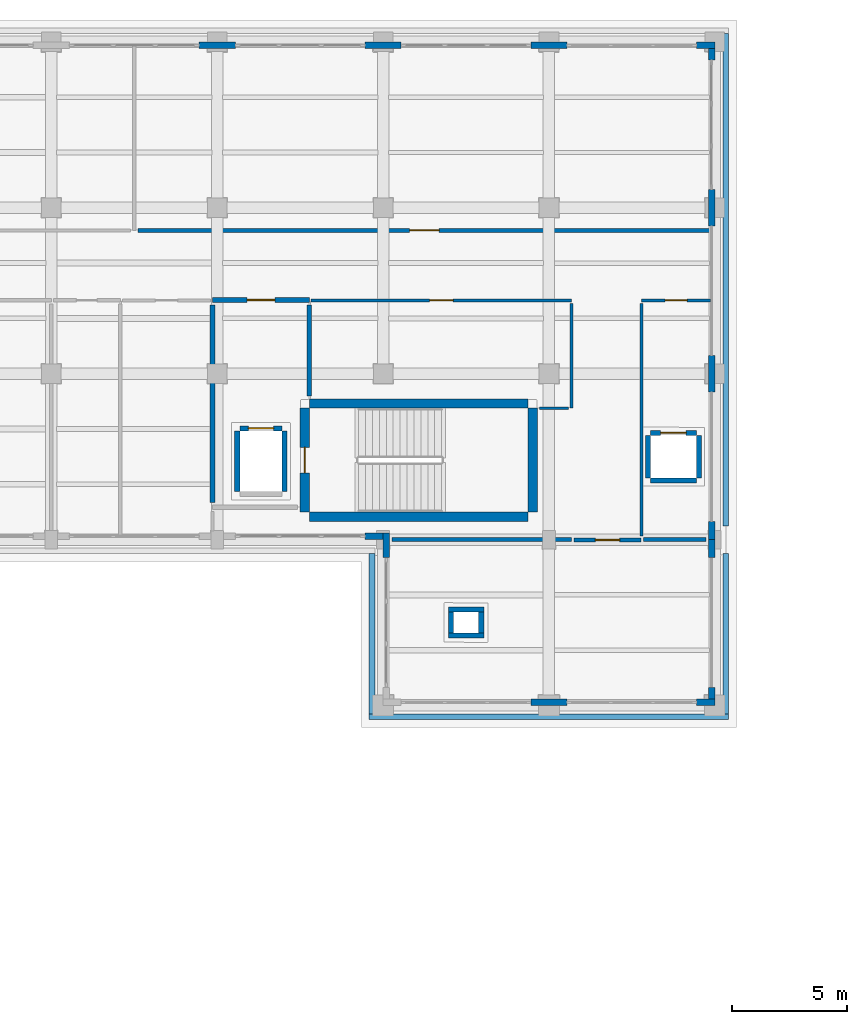
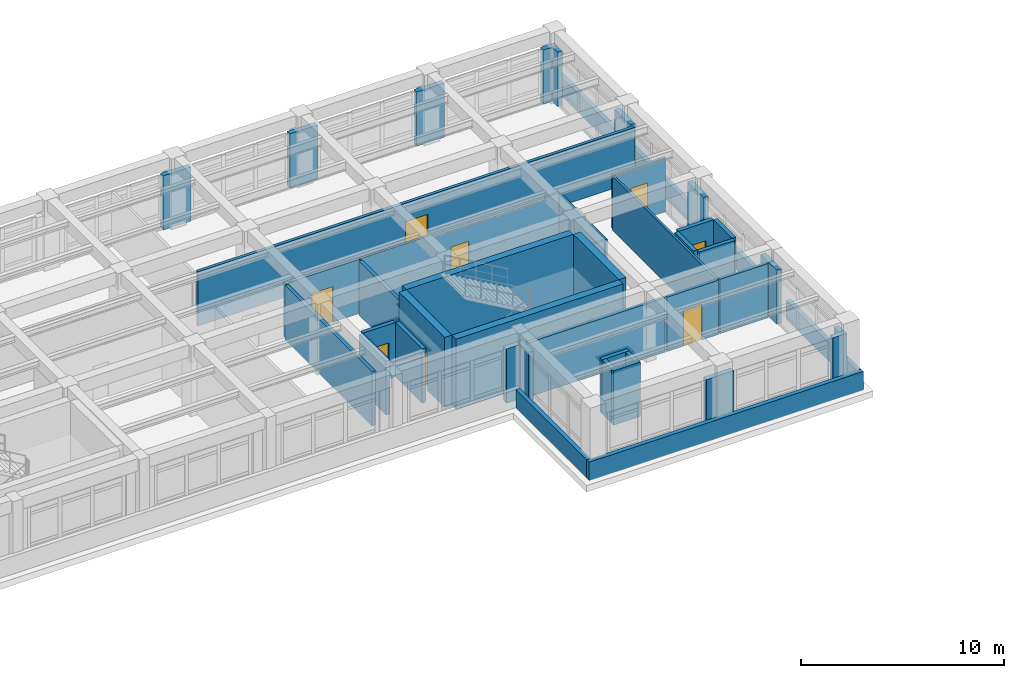
# One storey, part 55 of 69: 45 walls, 8 doors, 8 openings.
"""IFC4 building model written with IfcOpenShell, lengths in metres."""

from ifc_helpers import new_model, si_unit, direction, frame, frame_2d, origin, place, context, subcontext, project, spatial, rectangle, extrude, material, layer, layer_set, type_object, element, fill, save


model = new_model("IFC4")

# Units and contexts
model_context = context("Model", 3, precision=1e-05, world=origin(), true_north=direction((0.0, 1.0)))
body_context = subcontext(model_context, "Body", "Model", "MODEL_VIEW")
ifc_project = project(units=[si_unit("LENGTHUNIT", "METRE"), si_unit("AREAUNIT", "SQUARE_METRE"), si_unit("VOLUMEUNIT", "CUBIC_METRE"), si_unit("PLANEANGLEUNIT", "RADIAN"), si_unit("MASSUNIT", "GRAM", prefix="KILO")], contexts=[model_context])

# Site, building, storey
site_placement = place(None, origin())
site = spatial("IfcSite", under=ifc_project, at=site_placement, CompositionType="ELEMENT")
building_placement = place(site_placement, origin())
building = spatial("IfcBuilding", under=site, at=building_placement, Name="Solenvale Faculty of Natural Sciences", CompositionType="ELEMENT")
storey_placement = place(building_placement, frame((0.0, 0.0, 4.5)))
storey = spatial("IfcBuildingStorey", under=building, at=storey_placement, Name="L01", CompositionType="ELEMENT", Elevation=4.5)

# Walls
ifc_material_1 = material(Name="Precast concrete 40 MPa", Category="concrete")
ifc_layer_1 = layer(ifc_material_1, 0.284912109375)
ifc_layer_set_1 = layer_set([ifc_layer_1], Name="Precast concrete 40 MPa")
wall_type_1 = type_object("IfcWallType", Name="WL-EXT-PRC-285", PredefinedType="STANDARD", material=ifc_layer_set_1)
wall_1_placement = place(storey_placement, frame((143.2119140625, 86.54248046875, 0.0), z_axis=(0.0, 0.0, 1.0), x_axis=(1.0, 0.0, 0.0)))
element("IfcWall", 1, at=wall_1_placement, inside=storey, type_object=wall_type_1, Name="L01 Facade Closure Pier 1.B1-R", PredefinedType="STANDARD", context=body_context, shape_type="SweptSolid", body=[
    extrude(rectangle(XDim=1.576171875, YDim=0.284912109375, at=frame_2d((0.7880859375, 0.0))), origin(), (0.0, 0.0, 1.0), 3.260009765625),
])
wall_2_placement = place(storey_placement, frame((150.412109375, 86.54248046875, 0.0), z_axis=(0.0, 0.0, 1.0), x_axis=(1.0, 0.0, 0.0)))
element("IfcWall", 2, at=wall_2_placement, inside=storey, type_object=wall_type_1, Name="L01 Facade Closure Pier 1.B2-R", PredefinedType="STANDARD", context=body_context, shape_type="SweptSolid", body=[
    extrude(rectangle(XDim=0.787841796875, YDim=0.284912109375, at=frame_2d((0.39404296875, 0.0))), origin(), (0.0, 0.0, 1.0), 3.260009765625),
])
wall_3_placement = place(storey_placement, frame((151.0576171875, 86.68505859375, 0.0), z_axis=(0.0, 0.0, 1.0), x_axis=(0.0, 1.0, 0.0)))
element("IfcWall", 3, at=wall_3_placement, inside=storey, type_object=wall_type_1, Name="L01 Facade Closure Pier 2.B1-L", PredefinedType="STANDARD", context=body_context, shape_type="SweptSolid", body=[
    extrude(rectangle(XDim=0.5029296875, YDim=0.284912109375, at=frame_2d((0.25146484375, 0.0))), origin(), (0.0, 0.0, 1.0), 3.260009765625),
])
wall_4_placement = place(storey_placement, frame((151.0576171875, 92.81201171875, 0.0), z_axis=(0.0, 0.0, 1.0), x_axis=(0.0, 1.0, 0.0)))
element("IfcWall", 4, at=wall_4_placement, inside=storey, type_object=wall_type_1, Name="L01 Facade Closure Pier 2.B1-R", PredefinedType="STANDARD", context=body_context, shape_type="SweptSolid", body=[
    extrude(rectangle(XDim=0.7880859375, YDim=0.284912109375, at=frame_2d((0.39404296875, 0.0))), origin(), (0.0, 0.0, 1.0), 3.260009765625),
])
wall_5_placement = place(storey_placement, frame((151.0576171875, 93.60009765625, 0.0), z_axis=(0.0, 0.0, 1.0), x_axis=(0.0, 1.0, 0.0)))
element("IfcWall", 5, at=wall_5_placement, inside=storey, type_object=wall_type_1, Name="L01 Facade Closure Pier 3.B1-L", PredefinedType="STANDARD", context=body_context, shape_type="SweptSolid", body=[
    extrude(rectangle(XDim=0.787841796875, YDim=0.284912109375, at=frame_2d((0.39404296875, 0.0))), origin(), (0.0, 0.0, 1.0), 3.260009765625),
])
wall_6_placement = place(storey_placement, frame((151.0576171875, 100.011962890625, 0.0), z_axis=(0.0, 0.0, 1.0), x_axis=(0.0, 1.0, 0.0)))
element("IfcWall", 6, at=wall_6_placement, inside=storey, type_object=wall_type_1, Name="L01 Facade Closure Pier 3.B1-R", PredefinedType="STANDARD", context=body_context, shape_type="SweptSolid", body=[
    extrude(rectangle(XDim=1.575927734375, YDim=0.284912109375, at=frame_2d((0.7880859375, 0.0))), origin(), (0.0, 0.0, 1.0), 3.260009765625),
])
wall_7_placement = place(storey_placement, frame((151.0576171875, 107.2119140625, 0.0), z_axis=(0.0, 0.0, 1.0), x_axis=(0.0, 1.0, 0.0)))
element("IfcWall", 7, at=wall_7_placement, inside=storey, type_object=wall_type_1, Name="L01 Facade Closure Pier 3.B2-R", PredefinedType="STANDARD", context=body_context, shape_type="SweptSolid", body=[
    extrude(rectangle(XDim=1.576171875, YDim=0.284912109375, at=frame_2d((0.7880859375, 0.0))), origin(), (0.0, 0.0, 1.0), 3.260009765625),
])
wall_8_placement = place(storey_placement, frame((151.0576171875, 114.412109375, 0.0), z_axis=(0.0, 0.0, 1.0), x_axis=(0.0, 1.0, 0.0)))
element("IfcWall", 8, at=wall_8_placement, inside=storey, type_object=wall_type_1, Name="L01 Facade Closure Pier 3.B3-R", PredefinedType="STANDARD", context=body_context, shape_type="SweptSolid", body=[
    extrude(rectangle(XDim=0.5029296875, YDim=0.284912109375, at=frame_2d((0.25146484375, 0.0))), origin(), (0.0, 0.0, 1.0), 3.260009765625),
])
wall_9_placement = place(storey_placement, frame((151.199951171875, 115.0576171875, 0.0), z_axis=(0.0, 0.0, 1.0), x_axis=(-1.0, 0.0, 0.0)))
element("IfcWall", 9, at=wall_9_placement, inside=storey, type_object=wall_type_1, Name="L01 Facade Closure Pier 4.B1-L", PredefinedType="STANDARD", context=body_context, shape_type="SweptSolid", body=[
    extrude(rectangle(XDim=0.787841796875, YDim=0.284912109375, at=frame_2d((0.39404296875, 0.0))), origin(), (0.0, 0.0, 1.0), 3.260009765625),
])
wall_10_placement = place(storey_placement, frame((144.7880859375, 115.0576171875, 0.0), z_axis=(0.0, 0.0, 1.0), x_axis=(-1.0, 0.0, 0.0)))
element("IfcWall", 10, at=wall_10_placement, inside=storey, type_object=wall_type_1, Name="L01 Facade Closure Pier 4.B1-R", PredefinedType="STANDARD", context=body_context, shape_type="SweptSolid", body=[
    extrude(rectangle(XDim=1.576171875, YDim=0.284912109375, at=frame_2d((0.7880859375, 0.0))), origin(), (0.0, 0.0, 1.0), 3.260009765625),
])
for number, where, z_axis, x_axis, name in (
    (11, (137.587890625, 115.0576171875, 0.0), (0.0, 0.0, 1.0), (-1.0, 0.0, 0.0), "L01 Facade Closure Pier 4.B2-R"),
    (12, (130.387939453125, 115.0576171875, 0.0), (0.0, 0.0, 1.0), (-1.0, 0.0, 0.0), "L01 Facade Closure Pier 4.B3-R"),
):
    element("IfcWall", number, at=place(storey_placement, frame(where, z_axis=z_axis, x_axis=x_axis)), inside=storey, type_object=wall_type_1, Name=name, PredefinedType="STANDARD", context=body_context, shape_type="SweptSolid", body=[
        extrude(rectangle(XDim=1.575927734375, YDim=0.284912109375, at=frame_2d((0.7880859375, 0.0))), origin(), (0.0, 0.0, 1.0), 3.260009765625),
    ])
wall_11_placement = place(storey_placement, frame((136.011962890625, 93.742431640625, 0.0), z_axis=(0.0, 0.0, 1.0), x_axis=(1.0, 0.0, 0.0)))
element("IfcWall", 13, at=wall_11_placement, inside=storey, type_object=wall_type_1, Name="L01 Facade Closure Pier 6.B8-R", PredefinedType="STANDARD", context=body_context, shape_type="SweptSolid", body=[
    extrude(rectangle(XDim=0.7880859375, YDim=0.284912109375, at=frame_2d((0.39404296875, 0.0))), origin(), (0.0, 0.0, 1.0), 3.260009765625),
])
wall_12_placement = place(storey_placement, frame((136.9423828125, 93.885009765625, 0.0), z_axis=(0.0, 0.0, 1.0), x_axis=(0.0, -1.0, 0.0)))
element("IfcWall", 14, at=wall_12_placement, inside=storey, type_object=wall_type_1, Name="L01 Facade Closure Pier 7.B1-L", PredefinedType="STANDARD", context=body_context, shape_type="SweptSolid", body=[
    extrude(rectangle(XDim=1.072998046875, YDim=0.284912109375, at=frame_2d((0.53662109375, 0.0))), origin(), (0.0, 0.0, 1.0), 3.260009765625),
])

# Wall, opening, door
ifc_material_2 = material(Name="Gypsum fire-rated shaftwall")
ifc_layer_2 = layer(ifc_material_2, 0.205078125)
ifc_layer_set_2 = layer_set([ifc_layer_2], Name="Gypsum fire-rated shaftwall")
wall_type_2 = type_object("IfcWallType", Name="WL-FFL-205", PredefinedType="PARTITIONING", material=ifc_layer_set_2)
wall_13_placement = place(storey_placement, frame((129.39990234375, 104.0, 0.0), z_axis=(0.0, 0.0, 1.0), x_axis=(1.0, 0.0, 0.0)))
wall_13 = element("IfcWall", 15, at=wall_13_placement, inside=storey, type_object=wall_type_2, Name="L01 Firefighting Lobby C5 Partition 1", PredefinedType="PARTITIONING", context=body_context, shape_type="SweptSolid", body=[
    extrude(rectangle(XDim=4.2001953125, YDim=0.205078125, at=frame_2d((2.10009765625, 0.0))), origin(), (0.0, 0.0, 1.0), 3.260009765625),
])
opening_1_placement = place(wall_13_placement, frame((1.5, 0.0, 0.0)))
opening_1 = element("IfcOpeningElement", 16, at=opening_1_placement, cuts=wall_13, Name="Opening D-L01-02", PredefinedType="OPENING", context=body_context, shape_type="SweptSolid", body=[
    extrude(rectangle(XDim=1.199951171875, YDim=2.14990234375, at=frame_2d((0.60009765625, 1.074951171875))), frame((0.0, 0.112548828125, 0.0), z_axis=(0.0, -1.0, 0.0), x_axis=(1.0, 0.0, 0.0)), (0.0, 0.0, 1.0), 0.22509765625),
])
ifc_material_3 = material(Name="Galvanised steel S355", Category="steel")
door_type_1 = type_object("IfcDoorType", Name="DR-FFL-1200x2150", OperationType="NOTDEFINED", PredefinedType="DOOR", material=ifc_material_3)
door_1_placement = place(opening_1_placement, origin())
door_1 = element("IfcDoor", 17, at=door_1_placement, inside=storey, type_object=door_type_1, Name="L01 Firefighting Lobby C5 Door", OperationType="SINGLE_SWING_LEFT", OverallHeight=2.14990234375, OverallWidth=1.199951171875, PredefinedType="DOOR", context=body_context, shape_type="SweptSolid", body=[
    extrude(rectangle(XDim=1.199951171875, YDim=2.14990234375, at=frame_2d((0.60009765625, 1.074951171875))), frame((0.0, 0.02490234375, 0.0), z_axis=(0.0, -1.0, 0.0), x_axis=(1.0, 0.0, 0.0)), (0.0, 0.0, 1.0), 0.050048828125),
])
fill(opening_1, door_1)

# Walls
wall_14_placement = place(storey_placement, frame((133.60009765625, 103.782958984375, 0.0), z_axis=(0.0, 0.0, 1.0), x_axis=(0.0, -1.0, 0.0)))
element("IfcWall", 18, at=wall_14_placement, inside=storey, type_object=wall_type_2, Name="L01 Firefighting Lobby C5 Partition 2", PredefinedType="PARTITIONING", context=body_context, shape_type="SweptSolid", body=[
    extrude(rectangle(XDim=3.9580078125, YDim=0.205078125, at=frame_2d((1.97900390625, 0.0))), origin(), (0.0, 0.0, 1.0), 3.260009765625),
])
wall_15_placement = place(storey_placement, frame((129.39990234375, 95.217041015625, 0.0), z_axis=(0.0, 0.0, 1.0), x_axis=(0.0, 1.0, 0.0)))
element("IfcWall", 19, at=wall_15_placement, inside=storey, type_object=wall_type_2, Name="L01 Firefighting Lobby C5 Partition 21", PredefinedType="PARTITIONING", context=body_context, shape_type="SweptSolid", body=[
    extrude(rectangle(XDim=8.56591796875, YDim=0.205078125, at=frame_2d((4.282958984375, 0.0))), origin(), (0.0, 0.0, 1.0), 3.260009765625),
])

# Wall, opening, door
ifc_material_4 = material(Name="Gypsum fire-rated laboratory partition")
ifc_layer_3 = layer(ifc_material_4, 0.175048828125)
ifc_layer_set_3 = layer_set([ifc_layer_3], Name="Gypsum fire-rated laboratory partition")
wall_type_3 = type_object("IfcWallType", Name="WL-LAB-175", PredefinedType="PARTITIONING", material=ifc_layer_set_3)
wall_16_placement = place(storey_placement, frame((151.01806640625, 107.02001953125, 0.0), z_axis=(0.0, 0.0, 1.0), x_axis=(-1.0, 0.0, 0.0)))
wall_16 = element("IfcWall", 20, at=wall_16_placement, inside=storey, type_object=wall_type_3, Name="L01 Optics and Photonics Research Laboratory Partition 4", PredefinedType="PARTITIONING", context=body_context, shape_type="SweptSolid", body=[
    extrude(rectangle(XDim=24.84912109375, YDim=0.175048828125, at=frame_2d((12.424560546875, 0.0))), origin(), (0.0, 0.0, 1.0), 3.260009765625),
])
opening_2_placement = place(wall_16_placement, frame((11.784912109375, 0.0, 0.0)))
opening_2 = element("IfcOpeningElement", 21, at=opening_2_placement, cuts=wall_16, Name="Opening D-L01-21", PredefinedType="OPENING", context=body_context, shape_type="SweptSolid", body=[
    extrude(rectangle(XDim=1.280029296875, YDim=2.14990234375, at=frame_2d((0.64013671875, 1.074951171875))), frame((0.0, 0.097412109375, 0.0), z_axis=(0.0, -1.0, 0.0), x_axis=(1.0, 0.0, 0.0)), (0.0, 0.0, 1.0), 0.195068359375),
])
ifc_material_5 = material(Name="Oak acoustic timber leaf", Category="wood")
door_type_2 = type_object("IfcDoorType", Name="DR-LAB-1280x2150", OperationType="NOTDEFINED", PredefinedType="DOOR", material=ifc_material_5)
door_2_placement = place(opening_2_placement, origin())
door_2 = element("IfcDoor", 22, at=door_2_placement, inside=storey, type_object=door_type_2, Name="L01 Optics and Photonics Research Laboratory Door", OperationType="SINGLE_SWING_RIGHT", OverallHeight=2.14990234375, OverallWidth=1.280029296875, PredefinedType="DOOR", context=body_context, shape_type="SweptSolid", body=[
    extrude(rectangle(XDim=1.280029296875, YDim=2.14990234375, at=frame_2d((0.64013671875, 1.074951171875))), frame((0.0, 0.02490234375, 0.0), z_axis=(0.0, -1.0, 0.0), x_axis=(1.0, 0.0, 0.0)), (0.0, 0.0, 1.0), 0.050048828125),
])
fill(opening_2, door_2)

ifc_material_6 = material(Name="Acoustic stud gypsum partition")
ifc_layer_4 = layer(ifc_material_6, 0.125)
ifc_layer_set_4 = layer_set([ifc_layer_4], Name="Acoustic stud gypsum partition")
wall_type_4 = type_object("IfcWallType", Name="WL-OFF-125", PredefinedType="PARTITIONING", material=ifc_layer_set_4)
wall_17_placement = place(storey_placement, frame((133.674072265625, 103.97998046875, 0.0), z_axis=(0.0, 0.0, 1.0), x_axis=(1.0, 0.0, 0.0)))
wall_17 = element("IfcWall", 23, at=wall_17_placement, inside=storey, type_object=wall_type_4, Name="L01 Building Electrical and Telecom Closet Partition 18", PredefinedType="PARTITIONING", context=body_context, shape_type="SweptSolid", body=[
    extrude(rectangle(XDim=11.305908203125, YDim=0.125, at=frame_2d((5.65283203125, 0.0))), origin(), (0.0, 0.0, 1.0), 3.260009765625),
])
opening_3_placement = place(wall_17_placement, frame((5.14306640625, 0.0, 0.0)))
opening_3 = element("IfcOpeningElement", 24, at=opening_3_placement, cuts=wall_17, Name="Opening D-L01-25", PredefinedType="OPENING", context=body_context, shape_type="SweptSolid", body=[
    extrude(rectangle(XDim=1.02001953125, YDim=2.14990234375, at=frame_2d((0.510009765625, 1.074951171875))), frame((0.0, 0.072509765625, 0.0), z_axis=(0.0, -1.0, 0.0), x_axis=(1.0, 0.0, 0.0)), (0.0, 0.0, 1.0), 0.14501953125),
])
door_type_3 = type_object("IfcDoorType", Name="DR-OFF-1020x2150", OperationType="NOTDEFINED", PredefinedType="DOOR", material=ifc_material_5)
door_3_placement = place(opening_3_placement, origin())
door_3 = element("IfcDoor", 25, at=door_3_placement, inside=storey, type_object=door_type_3, Name="L01 Building Electrical and Telecom Closet Door", OperationType="SINGLE_SWING_RIGHT", OverallHeight=2.14990234375, OverallWidth=1.02001953125, PredefinedType="DOOR", context=body_context, shape_type="SweptSolid", body=[
    extrude(rectangle(XDim=1.02001953125, YDim=2.14990234375, at=frame_2d((0.510009765625, 1.074951171875))), frame((0.0, 0.02490234375, 0.0), z_axis=(0.0, -1.0, 0.0), x_axis=(1.0, 0.0, 0.0)), (0.0, 0.0, 1.0), 0.050048828125),
])
fill(opening_3, door_3)

# Walls
wall_18_placement = place(storey_placement, frame((144.97998046875, 103.843017578125, 0.0), z_axis=(0.0, 0.0, 1.0), x_axis=(0.0, -1.0, 0.0)))
element("IfcWall", 26, at=wall_18_placement, inside=storey, type_object=wall_type_4, Name="L01 Building Electrical and Telecom Closet Partition 19", PredefinedType="PARTITIONING", context=body_context, shape_type="SweptSolid", body=[
    extrude(rectangle(XDim=4.54296875, YDim=0.125, at=frame_2d((2.271484375, 0.0))), origin(), (0.0, 0.0, 1.0), 3.260009765625),
])
wall_19_placement = place(storey_placement, frame((144.843017578125, 99.300048828125, 0.0), z_axis=(0.0, 0.0, 1.0), x_axis=(-1.0, 0.0, 0.0)))
element("IfcWall", 27, at=wall_19_placement, inside=storey, type_object=wall_type_4, Name="L01 Building Electrical and Telecom Closet Partition 20", PredefinedType="PARTITIONING", context=body_context, shape_type="SweptSolid", body=[
    extrude(rectangle(XDim=1.258056640625, YDim=0.125, at=frame_2d((0.62890625, 0.0))), origin(), (0.0, 0.0, 1.0), 3.260009765625),
])

# Wall, opening, door
ifc_layer_5 = layer(ifc_material_6, 0.132080078125)
ifc_layer_set_5 = layer_set([ifc_layer_5], Name="Acoustic stud gypsum partition")
wall_type_5 = type_object("IfcWallType", Name="WL-OFF-132", PredefinedType="PARTITIONING", material=ifc_layer_set_5)
wall_20_placement = place(storey_placement, frame((148.02001953125, 103.97998046875, 0.0), z_axis=(0.0, 0.0, 1.0), x_axis=(1.0, 0.0, 0.0)))
wall_20 = element("IfcWall", 28, at=wall_20_placement, inside=storey, type_object=wall_type_5, Name="L01 Elevator Lobby Partition 1", PredefinedType="PARTITIONING", context=body_context, shape_type="SweptSolid", body=[
    extrude(rectangle(XDim=2.998046875, YDim=0.132080078125, at=frame_2d((1.4990234375, 0.0))), origin(), (0.0, 0.0, 1.0), 3.260009765625),
])
opening_4_placement = place(wall_20_placement, frame((1.02392578125, 0.0, 0.0)))
opening_4 = element("IfcOpeningElement", 29, at=opening_4_placement, cuts=wall_20, Name="Opening D-L01-26", PredefinedType="OPENING", context=body_context, shape_type="SweptSolid", body=[
    extrude(rectangle(XDim=0.949951171875, YDim=2.10009765625, at=frame_2d((0.47509765625, 1.050048828125))), frame((0.0, 0.075927734375, 0.0), z_axis=(0.0, -1.0, 0.0), x_axis=(1.0, 0.0, 0.0)), (0.0, 0.0, 1.0), 0.152099609375),
])
door_type_4 = type_object("IfcDoorType", Name="DR-OFF-0950x2100", OperationType="NOTDEFINED", PredefinedType="DOOR", material=ifc_material_5)
door_4_placement = place(opening_4_placement, origin())
door_4 = element("IfcDoor", 30, at=door_4_placement, inside=storey, type_object=door_type_4, Name="L01 Elevator Lobby Door", OperationType="SINGLE_SWING_LEFT", OverallHeight=2.10009765625, OverallWidth=0.949951171875, PredefinedType="DOOR", context=body_context, shape_type="SweptSolid", body=[
    extrude(rectangle(XDim=0.949951171875, YDim=2.10009765625, at=frame_2d((0.47509765625, 1.050048828125))), frame((0.0, 0.02490234375, 0.0), z_axis=(0.0, -1.0, 0.0), x_axis=(1.0, 0.0, 0.0)), (0.0, 0.0, 1.0), 0.050048828125),
])
fill(opening_4, door_4)

# Walls
wall_21_placement = place(storey_placement, frame((148.02001953125, 93.7451171875, 0.0), z_axis=(0.0, 0.0, 1.0), x_axis=(0.0, 1.0, 0.0)))
element("IfcWall", 31, at=wall_21_placement, inside=storey, type_object=wall_type_5, Name="L01 Elevator Lobby Partition 4", PredefinedType="PARTITIONING", context=body_context, shape_type="SweptSolid", body=[
    extrude(rectangle(XDim=10.0908203125, YDim=0.132080078125, at=frame_2d((5.04541015625, 0.0))), origin(), (0.0, 0.0, 1.0), 3.260009765625),
])
ifc_material_7 = material(Name="Architectural bronze concrete 40 MPa", Category="concrete")
ifc_layer_6 = layer(ifc_material_7, 0.239990234375)
ifc_layer_set_6 = layer_set([ifc_layer_6], Name="Architectural bronze concrete 40 MPa")
wall_type_6 = type_object("IfcWallType", Name="WL-PAR-BRZ-240", PredefinedType="PARAPET", material=ifc_layer_set_6)
wall_22_placement = place(storey_placement, frame((151.679931640625, 115.56005859375, 0.0), z_axis=(0.0, 0.0, 1.0), x_axis=(0.0, -1.0, 0.0)))
element("IfcWall", 32, at=wall_22_placement, inside=storey, type_object=wall_type_6, Name="L01 Tower Horizontal Concrete Band 10", PredefinedType="PARAPET", context=body_context, shape_type="SweptSolid", body=[
    extrude(rectangle(XDim=21.360107421875, YDim=0.239990234375, at=frame_2d((10.68017578125, 0.0))), origin(), (0.0, 0.0, 1.0), 1.1201171875),
])
wall_23_placement = place(storey_placement, frame((151.679931640625, 93.0, 0.0), z_axis=(0.0, 0.0, 1.0), x_axis=(0.0, -1.0, 0.0)))
element("IfcWall", 33, at=wall_23_placement, inside=storey, type_object=wall_type_6, Name="L01 Tower Horizontal Concrete Band 11", PredefinedType="PARAPET", context=body_context, shape_type="SweptSolid", body=[
    extrude(rectangle(XDim=6.9599609375, YDim=0.239990234375, at=frame_2d((3.47998046875, 0.0))), origin(), (0.0, 0.0, 1.0), 1.1201171875),
])
wall_24_placement = place(storey_placement, frame((151.800048828125, 85.919921875, 0.0), z_axis=(0.0, 0.0, 1.0), x_axis=(-1.0, 0.0, 0.0)))
element("IfcWall", 34, at=wall_24_placement, inside=storey, type_object=wall_type_6, Name="L01 Tower Horizontal Concrete Band 12", PredefinedType="PARAPET", context=body_context, shape_type="SweptSolid", body=[
    extrude(rectangle(XDim=15.60009765625, YDim=0.239990234375, at=frame_2d((7.800048828125, 0.0))), origin(), (0.0, 0.0, 1.0), 1.1201171875),
])
wall_25_placement = place(storey_placement, frame((136.320068359375, 86.0400390625, 0.0), z_axis=(0.0, 0.0, 1.0), x_axis=(0.0, 1.0, 0.0)))
element("IfcWall", 35, at=wall_25_placement, inside=storey, type_object=wall_type_6, Name="L01 Tower Horizontal Concrete Band 13", PredefinedType="PARAPET", context=body_context, shape_type="SweptSolid", body=[
    extrude(rectangle(XDim=6.9599609375, YDim=0.239990234375, at=frame_2d((3.47998046875, 0.0))), origin(), (0.0, 0.0, 1.0), 1.1201171875),
])
ifc_material_8 = material(Name="Acoustic double-stud gypsum partition")
ifc_layer_7 = layer(ifc_material_8, 0.179931640625)
ifc_layer_set_7 = layer_set([ifc_layer_7], Name="Acoustic double-stud gypsum partition")
wall_type_7 = type_object("IfcWallType", Name="WL-SEM-180", PredefinedType="PARTITIONING", material=ifc_layer_set_7)
wall_26_placement = place(storey_placement, frame((137.18701171875, 93.60009765625, 0.0), z_axis=(0.0, 0.0, 1.0), x_axis=(1.0, 0.0, 0.0)))
element("IfcWall", 36, at=wall_26_placement, inside=storey, type_object=wall_type_7, Name="L01 Seminar Room Partition 3", PredefinedType="PARTITIONING", context=body_context, shape_type="SweptSolid", body=[
    extrude(rectangle(XDim=7.79296875, YDim=0.179931640625, at=frame_2d((3.896484375, 0.0))), origin(), (0.0, 0.0, 1.0), 3.260009765625),
])

# Wall, opening, door
wall_27_placement = place(storey_placement, frame((145.08203125, 93.580078125, 0.0), z_axis=(0.0, 0.0, 1.0), x_axis=(1.0, 0.0, 0.0)))
wall_27 = element("IfcWall", 37, at=wall_27_placement, inside=storey, type_object=wall_type_7, Name="L01 Seminar Room Partition 20", PredefinedType="PARTITIONING", context=body_context, shape_type="SweptSolid", body=[
    extrude(rectangle(XDim=2.91796875, YDim=0.179931640625, at=frame_2d((1.458984375, 0.0))), origin(), (0.0, 0.0, 1.0), 3.260009765625),
])
opening_5_placement = place(wall_27_placement, frame((0.93408203125, 0.0, 0.0)))
opening_5 = element("IfcOpeningElement", 38, at=opening_5_placement, cuts=wall_27, Name="Opening D-L01-15", PredefinedType="OPENING", context=body_context, shape_type="SweptSolid", body=[
    extrude(rectangle(XDim=1.050048828125, YDim=2.14990234375, at=frame_2d((0.52490234375, 1.074951171875))), frame((0.0, 0.099853515625, 0.0), z_axis=(0.0, -1.0, 0.0), x_axis=(1.0, 0.0, 0.0)), (0.0, 0.0, 1.0), 0.199951171875),
])
door_type_5 = type_object("IfcDoorType", Name="DR-SEM-1050x2150", OperationType="NOTDEFINED", PredefinedType="DOOR", material=ifc_material_5)
door_5_placement = place(opening_5_placement, origin())
door_5 = element("IfcDoor", 39, at=door_5_placement, inside=storey, type_object=door_type_5, Name="L01 Seminar Room Door", OperationType="SINGLE_SWING_RIGHT", OverallHeight=2.14990234375, OverallWidth=1.050048828125, PredefinedType="DOOR", context=body_context, shape_type="SweptSolid", body=[
    extrude(rectangle(XDim=1.050048828125, YDim=2.14990234375, at=frame_2d((0.52490234375, 1.074951171875))), frame((0.0, 0.02490234375, 0.0), z_axis=(0.0, -1.0, 0.0), x_axis=(1.0, 0.0, 0.0)), (0.0, 0.0, 1.0), 0.050048828125),
])
fill(opening_5, door_5)

# Wall
wall_28_placement = place(storey_placement, frame((148.10205078125, 93.60009765625, 0.0), z_axis=(0.0, 0.0, 1.0), x_axis=(1.0, 0.0, 0.0)))
element("IfcWall", 40, at=wall_28_placement, inside=storey, type_object=wall_type_7, Name="L01 Seminar Room Partition 37", PredefinedType="PARTITIONING", context=body_context, shape_type="SweptSolid", body=[
    extrude(rectangle(XDim=2.7109375, YDim=0.179931640625, at=frame_2d((1.35546875, 0.0))), origin(), (0.0, 0.0, 1.0), 3.260009765625),
])

# Wall, opening, door
ifc_material_9 = material(Name="Concrete 40 MPa", Category="concrete")
ifc_layer_8 = layer(ifc_material_9, 0.219970703125)
ifc_layer_set_8 = layer_set([ifc_layer_8], Name="Concrete 40 MPa")
wall_type_8 = type_object("IfcWallType", Name="WL-SHF-220", PredefinedType="STANDARD", material=ifc_layer_set_8)
wall_29_placement = place(storey_placement, frame((130.580078125, 98.429931640625, 0.0), z_axis=(0.0, 0.0, 1.0), x_axis=(1.0, 0.0, 0.0)))
wall_29 = element("IfcWall", 41, at=wall_29_placement, inside=storey, type_object=wall_type_8, Name="Elevator LF-02 L01 Shaft Wall N", PredefinedType="STANDARD", context=body_context, shape_type="SweptSolid", body=[
    extrude(rectangle(XDim=1.83984375, YDim=0.219970703125, at=frame_2d((0.919921875, 0.0))), origin(), (0.0, 0.0, 1.0), 3.260009765625),
])
opening_6_placement = place(wall_29_placement, frame((0.3701171875, 0.0, 0.0)))
opening_6 = element("IfcOpeningElement", 42, at=opening_6_placement, cuts=wall_29, Name="Opening LD-LF-02-L01", PredefinedType="OPENING", context=body_context, shape_type="SweptSolid", body=[
    extrude(rectangle(XDim=1.10009765625, YDim=2.14990234375, at=frame_2d((0.550048828125, 1.074951171875))), frame((0.0, 0.119873046875, 0.0), z_axis=(0.0, -1.0, 0.0), x_axis=(1.0, 0.0, 0.0)), (0.0, 0.0, 1.0), 0.239990234375),
])
ifc_material_10 = material(Name="Stainless steel Grade 304", Category="steel")
door_type_6 = type_object("IfcDoorType", Name="DR-LIFT-1100x2150", OperationType="NOTDEFINED", PredefinedType="DOOR", material=ifc_material_10)
door_6_placement = place(opening_6_placement, origin())
door_6 = element("IfcDoor", 43, at=door_6_placement, inside=storey, type_object=door_type_6, Name="Elevator LF-02 L01 Sliding Landing Door", OperationType="SLIDING_TO_RIGHT", OverallHeight=2.14990234375, OverallWidth=1.10009765625, PredefinedType="DOOR", context=body_context, shape_type="SweptSolid", body=[
    extrude(rectangle(XDim=1.10009765625, YDim=2.14990234375, at=frame_2d((0.550048828125, 1.074951171875))), frame((0.0, 0.02490234375, 0.0), z_axis=(0.0, -1.0, 0.0), x_axis=(1.0, 0.0, 0.0)), (0.0, 0.0, 1.0), 0.050048828125),
])
fill(opening_6, door_6)

# Walls
for number, where, z_axis, x_axis, name in (
    (44, (130.469970703125, 95.679931640625, 0.0), (0.0, 0.0, 1.0), (0.0, 1.0, 0.0), "Elevator LF-02 L01 Shaft Wall W"),
    (45, (132.530029296875, 95.679931640625, 0.0), (0.0, 0.0, 1.0), (0.0, 1.0, 0.0), "Elevator LF-02 L01 Shaft Wall E"),
):
    element("IfcWall", number, at=place(storey_placement, frame(where, z_axis=z_axis, x_axis=x_axis)), inside=storey, type_object=wall_type_8, Name=name, PredefinedType="STANDARD", context=body_context, shape_type="SweptSolid", body=[
        extrude(rectangle(XDim=2.64013671875, YDim=0.219970703125, at=frame_2d((1.320068359375, 0.0))), origin(), (0.0, 0.0, 1.0), 3.260009765625),
    ])
wall_30_placement = place(storey_placement, frame((148.405029296875, 96.169921875, 0.0), z_axis=(0.0, 0.0, 1.0), x_axis=(1.0, 0.0, 0.0)))
element("IfcWall", 46, at=wall_30_placement, inside=storey, type_object=wall_type_8, Name="Elevator LP-03 L01 Shaft Wall S", PredefinedType="STANDARD", context=body_context, shape_type="SweptSolid", body=[
    extrude(rectangle(XDim=1.989990234375, YDim=0.219970703125, at=frame_2d((0.9951171875, 0.0))), origin(), (0.0, 0.0, 1.0), 3.260009765625),
])

# Wall, opening, door
wall_31_placement = place(storey_placement, frame((148.405029296875, 98.22998046875, 0.0), z_axis=(0.0, 0.0, 1.0), x_axis=(1.0, 0.0, 0.0)))
wall_31 = element("IfcWall", 47, at=wall_31_placement, inside=storey, type_object=wall_type_8, Name="Elevator LP-03 L01 Shaft Wall N", PredefinedType="STANDARD", context=body_context, shape_type="SweptSolid", body=[
    extrude(rectangle(XDim=1.989990234375, YDim=0.219970703125, at=frame_2d((0.9951171875, 0.0))), origin(), (0.0, 0.0, 1.0), 3.260009765625),
])
opening_7_placement = place(wall_31_placement, frame((0.445068359375, 0.0, 0.0)))
opening_7 = element("IfcOpeningElement", 48, at=opening_7_placement, cuts=wall_31, Name="Opening LD-LP-03-L01", PredefinedType="OPENING", context=body_context, shape_type="SweptSolid", body=[
    extrude(rectangle(XDim=1.10009765625, YDim=2.14990234375, at=frame_2d((0.550048828125, 1.074951171875))), frame((0.0, 0.119873046875, 0.0), z_axis=(0.0, -1.0, 0.0), x_axis=(1.0, 0.0, 0.0)), (0.0, 0.0, 1.0), 0.239990234375),
])
door_7_placement = place(opening_7_placement, origin())
door_7 = element("IfcDoor", 49, at=door_7_placement, inside=storey, type_object=door_type_6, Name="Elevator LP-03 L01 Sliding Landing Door", OperationType="SLIDING_TO_RIGHT", OverallHeight=2.14990234375, OverallWidth=1.10009765625, PredefinedType="DOOR", context=body_context, shape_type="SweptSolid", body=[
    extrude(rectangle(XDim=1.10009765625, YDim=2.14990234375, at=frame_2d((0.550048828125, 1.074951171875))), frame((0.0, 0.02490234375, 0.0), z_axis=(0.0, -1.0, 0.0), x_axis=(1.0, 0.0, 0.0)), (0.0, 0.0, 1.0), 0.050048828125),
])
fill(opening_7, door_7)

# Walls
for number, where, z_axis, x_axis, name in (
    (50, (148.294921875, 96.280029296875, 0.0), (0.0, 0.0, 1.0), (0.0, 1.0, 0.0), "Elevator LP-03 L01 Shaft Wall W"),
    (51, (150.5048828125, 96.280029296875, 0.0), (0.0, 0.0, 1.0), (0.0, 1.0, 0.0), "Elevator LP-03 L01 Shaft Wall E"),
):
    element("IfcWall", number, at=place(storey_placement, frame(where, z_axis=z_axis, x_axis=x_axis)), inside=storey, type_object=wall_type_8, Name=name, PredefinedType="STANDARD", context=body_context, shape_type="SweptSolid", body=[
        extrude(rectangle(XDim=1.840087890625, YDim=0.219970703125, at=frame_2d((0.919921875, 0.0))), origin(), (0.0, 0.0, 1.0), 3.260009765625),
    ])
for number, where, z_axis, x_axis, name in (
    (52, (139.6298828125, 89.43994140625, 0.0), (0.0, 0.0, 1.0), (1.0, 0.0, 0.0), "L01 Service Riser Shaft 8 Wall S"),
    (53, (139.6298828125, 90.56005859375, 0.0), (0.0, 0.0, 1.0), (1.0, 0.0, 0.0), "L01 Service Riser Shaft 8 Wall N"),
):
    element("IfcWall", number, at=place(storey_placement, frame(where, z_axis=z_axis, x_axis=x_axis)), inside=storey, type_object=wall_type_8, Name=name, PredefinedType="STANDARD", context=body_context, shape_type="SweptSolid", body=[
        extrude(rectangle(XDim=1.5400390625, YDim=0.219970703125, at=frame_2d((0.77001953125, 0.0))), origin(), (0.0, 0.0, 1.0), 3.260009765625),
    ])
for number, where, z_axis, x_axis, name in (
    (54, (139.739990234375, 89.550048828125, 0.0), (0.0, 0.0, 1.0), (0.0, 1.0, 0.0), "L01 Service Riser Shaft 8 Wall W"),
    (55, (141.06005859375, 89.550048828125, 0.0), (0.0, 0.0, 1.0), (0.0, 1.0, 0.0), "L01 Service Riser Shaft 8 Wall E"),
):
    element("IfcWall", number, at=place(storey_placement, frame(where, z_axis=z_axis, x_axis=x_axis)), inside=storey, type_object=wall_type_8, Name=name, PredefinedType="STANDARD", context=body_context, shape_type="SweptSolid", body=[
        extrude(rectangle(XDim=0.89990234375, YDim=0.219970703125, at=frame_2d((0.449951171875, 0.0))), origin(), (0.0, 0.0, 1.0), 3.260009765625),
    ])
ifc_material_11 = material(Name="Concrete 50 MPa", Category="concrete")
ifc_layer_9 = layer(ifc_material_11, 0.409912109375)
ifc_layer_set_9 = layer_set([ifc_layer_9], Name="Concrete 50 MPa")
wall_type_9 = type_object("IfcWallType", Name="WL-SHR-410", PredefinedType="SHEAR", material=ifc_layer_set_9)
for number, where, z_axis, x_axis, name in (
    (56, (133.60009765625, 94.594970703125, 0.0), (0.0, 0.0, 1.0), (1.0, 0.0, 0.0), "Core C5 L01 Shear Wall S"),
    (57, (133.60009765625, 99.5048828125, 0.0), (0.0, 0.0, 1.0), (1.0, 0.0, 0.0), "Core C5 L01 Shear Wall N"),
):
    element("IfcWall", number, at=place(storey_placement, frame(where, z_axis=z_axis, x_axis=x_axis)), inside=storey, type_object=wall_type_9, Name=name, PredefinedType="SHEAR", context=body_context, shape_type="SweptSolid", body=[
        extrude(rectangle(XDim=9.5, YDim=0.409912109375, at=frame_2d((4.75, 0.0))), origin(), (0.0, 0.0, 1.0), 4.219970703125),
    ])

# Wall, opening, door
wall_32_placement = place(storey_placement, frame((133.39501953125, 94.800048828125, 0.0), z_axis=(0.0, 0.0, 1.0), x_axis=(0.0, 1.0, 0.0)))
wall_32 = element("IfcWall", 58, at=wall_32_placement, inside=storey, type_object=wall_type_9, Name="Core C5 L01 Shear Wall W", PredefinedType="SHEAR", context=body_context, shape_type="SweptSolid", body=[
    extrude(rectangle(XDim=4.5, YDim=0.409912109375, at=frame_2d((2.25, 0.0))), origin(), (0.0, 0.0, 1.0), 4.219970703125),
])
opening_8_placement = place(wall_32_placement, frame((1.699951171875, 0.0, 0.0)))
opening_8 = element("IfcOpeningElement", 59, at=opening_8_placement, cuts=wall_32, Name="Opening DS-C5-L01", PredefinedType="OPENING", context=body_context, shape_type="SweptSolid", body=[
    extrude(rectangle(XDim=1.10009765625, YDim=2.14990234375, at=frame_2d((0.550048828125, 1.074951171875))), frame((0.0, 0.21484375, 0.0), z_axis=(0.0, -1.0, 0.0), x_axis=(1.0, 0.0, 0.0)), (0.0, 0.0, 1.0), 0.429931640625),
])
door_type_7 = type_object("IfcDoorType", Name="DR-STAIR-1100x2150", OperationType="NOTDEFINED", PredefinedType="DOOR", material=ifc_material_3)
door_8_placement = place(opening_8_placement, origin())
door_8 = element("IfcDoor", 60, at=door_8_placement, inside=storey, type_object=door_type_7, Name="L01 Stair ST-05 Fire Door", OperationType="SINGLE_SWING_RIGHT", OverallHeight=2.14990234375, OverallWidth=1.10009765625, PredefinedType="DOOR", context=body_context, shape_type="SweptSolid", body=[
    extrude(rectangle(XDim=1.10009765625, YDim=2.14990234375, at=frame_2d((0.550048828125, 1.074951171875))), frame((0.0, 0.02490234375, 0.0), z_axis=(0.0, -1.0, 0.0), x_axis=(1.0, 0.0, 0.0)), (0.0, 0.0, 1.0), 0.050048828125),
])
fill(opening_8, door_8)

# Wall
wall_33_placement = place(storey_placement, frame((143.304931640625, 94.800048828125, 0.0), z_axis=(0.0, 0.0, 1.0), x_axis=(0.0, 1.0, 0.0)))
element("IfcWall", 61, at=wall_33_placement, inside=storey, type_object=wall_type_9, Name="Core C5 L01 Shear Wall E", PredefinedType="SHEAR", context=body_context, shape_type="SweptSolid", body=[
    extrude(rectangle(XDim=4.5, YDim=0.409912109375, at=frame_2d((2.25, 0.0))), origin(), (0.0, 0.0, 1.0), 4.219970703125),
])

save(model, "model.ifc")
